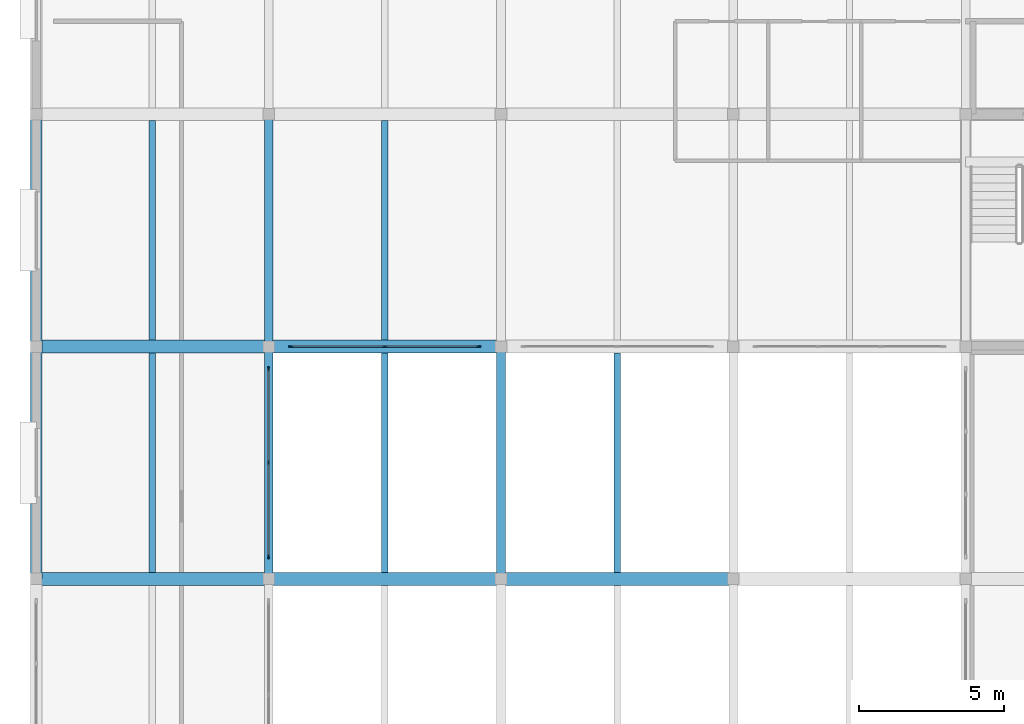
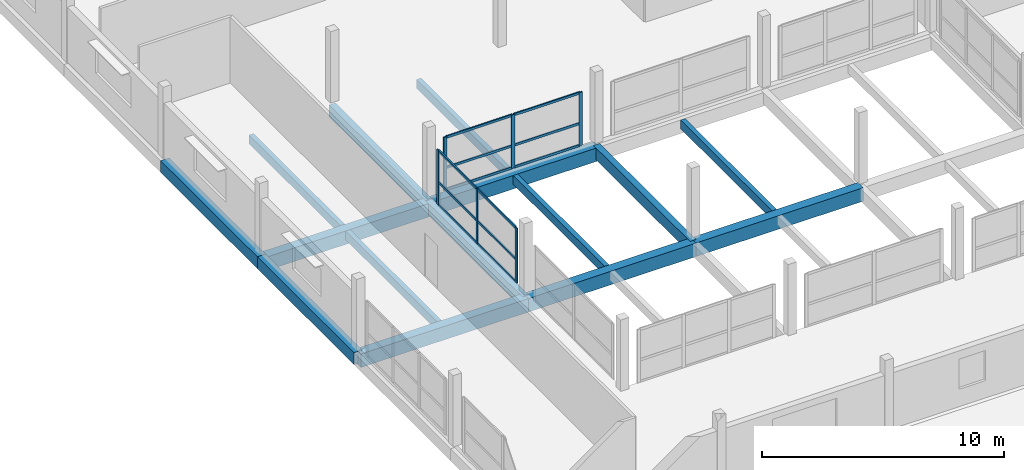
# One storey, part 12 of 51: 18 members, 15 beams, 2 elements without a shape of their own.
"""IFC4 building model written with IfcOpenShell, lengths in metres."""

from ifc_helpers import new_model, si_unit, direction, frame, origin, origin_2d, place, context, subcontext, project, spatial, rectangle, extrude, material, material_profile, profile_set, type_object, element, aggregate, save


model = new_model("IFC4")

# Units and contexts
model_context = context("Model", 3, precision=1e-05, world=origin(), true_north=direction((0.0, 1.0)))
body_context = subcontext(model_context, "Body", "Model", "MODEL_VIEW")
ifc_project = project(units=[si_unit("LENGTHUNIT", "METRE"), si_unit("AREAUNIT", "SQUARE_METRE"), si_unit("VOLUMEUNIT", "CUBIC_METRE"), si_unit("PLANEANGLEUNIT", "RADIAN"), si_unit("MASSUNIT", "GRAM", prefix="KILO")], contexts=[model_context])

# Site, building, storey
site_placement = place(None, origin())
site = spatial("IfcSite", under=ifc_project, at=site_placement, CompositionType="ELEMENT")
building_placement = place(site_placement, origin())
building = spatial("IfcBuilding", under=site, at=building_placement, Name="Vharandega Faculty of Natural Sciences", CompositionType="ELEMENT")
storey_placement = place(building_placement, frame((0.0, 0.0, 18.0)))
storey = spatial("IfcBuildingStorey", under=building, at=storey_placement, Name="L04", CompositionType="ELEMENT", Elevation=18.0)

# Curtain wall, members
ifc_material_1 = material(Name="Aluminium and solar-control glass curtain wall", Category="aluminium")
curtain_wall_type_1 = type_object("IfcCurtainWallType", Name="Unitised Curtain Wall System CW-17", PredefinedType="NOTDEFINED", material=ifc_material_1)
curtain_wall_1_placement = place(storey_placement, origin())
curtain_wall_1 = element("IfcCurtainWall", 1, at=curtain_wall_1_placement, inside=storey, type_object=curtain_wall_type_1, Name="Curtain Wall CW-L04-184", PredefinedType="NOTDEFINED")
ifc_material_2 = material(Name="Thermally broken aluminium 6063-T6", Category="aluminium")
ifc_material_profile_1 = material_profile(ifc_material_2, rectangle(XDim=0.06005859375, YDim=0.159912109375, at=origin_2d()), Name="ALU 60x160")
ifc_profile_set_1 = profile_set([ifc_material_profile_1], Name="Thermally broken aluminium 6063-T6")
member_type_1 = type_object("IfcMemberType", Name="CW Mullion 60x160", PredefinedType="MULLION", material=ifc_profile_set_1)
member_1_placement = place(storey_placement, frame((8.77001953125, 40.0, 0.0), z_axis=(0.0, 0.0, 1.0), x_axis=(0.0, 1.0, 0.0)))
member_1 = element("IfcMember", 2, at=member_1_placement, type_object=member_type_1, Name="CW-17 mullion 1", PredefinedType="MULLION", context=body_context, shape_type="SweptSolid", body=[
    extrude(rectangle(XDim=0.06005859375, YDim=0.159912109375, at=origin_2d()), origin(), (0.0, 0.0, 1.0), 2.699951171875),
])
member_2_placement = place(storey_placement, frame((12.0, 40.0, 0.0), z_axis=(0.0, 0.0, 1.0), x_axis=(0.0, 1.0, 0.0)))
member_2 = element("IfcMember", 3, at=member_2_placement, type_object=member_type_1, Name="CW-17 mullion 2", PredefinedType="MULLION", context=body_context, shape_type="SweptSolid", body=[
    extrude(rectangle(XDim=0.06005859375, YDim=0.159912109375, at=origin_2d()), origin(), (0.0, 0.0, 1.0), 2.699951171875),
])
member_3_placement = place(storey_placement, frame((15.22998046875, 40.0, 0.0), z_axis=(0.0, 0.0, 1.0), x_axis=(0.0, 1.0, 0.0)))
member_3 = element("IfcMember", 4, at=member_3_placement, type_object=member_type_1, Name="CW-17 mullion 3", PredefinedType="MULLION", context=body_context, shape_type="SweptSolid", body=[
    extrude(rectangle(XDim=0.06005859375, YDim=0.159912109375, at=origin_2d()), origin(), (0.0, 0.0, 1.0), 2.699951171875),
])

ifc_material_3 = material(Name="Aluminium and solar-control glass curtain wall", Category="aluminium")
curtain_wall_type_2 = type_object("IfcCurtainWallType", Name="Unitised Curtain Wall System CW-24", PredefinedType="NOTDEFINED", material=ifc_material_3)
curtain_wall_2_placement = place(storey_placement, origin())
curtain_wall_2 = element("IfcCurtainWall", 5, at=curtain_wall_2_placement, inside=storey, type_object=curtain_wall_type_2, Name="Curtain Wall CW-L04-191", PredefinedType="NOTDEFINED")
member_4_placement = place(storey_placement, frame((8.0, 32.77001953125, 0.0), z_axis=(0.0, 0.0, 1.0), x_axis=(-1.0, 0.0, 0.0)))
member_4 = element("IfcMember", 6, at=member_4_placement, type_object=member_type_1, Name="CW-24 mullion 1", PredefinedType="MULLION", context=body_context, shape_type="SweptSolid", body=[
    extrude(rectangle(XDim=0.06005859375, YDim=0.159912109375, at=origin_2d()), origin(), (0.0, 0.0, 1.0), 2.780029296875),
])
member_5_placement = place(storey_placement, frame((8.0, 36.0, 0.0), z_axis=(0.0, 0.0, 1.0), x_axis=(-1.0, 0.0, 0.0)))
member_5 = element("IfcMember", 7, at=member_5_placement, type_object=member_type_1, Name="CW-24 mullion 2", PredefinedType="MULLION", context=body_context, shape_type="SweptSolid", body=[
    extrude(rectangle(XDim=0.06005859375, YDim=0.159912109375, at=origin_2d()), origin(), (0.0, 0.0, 1.0), 2.780029296875),
])
member_6_placement = place(storey_placement, frame((8.0, 39.22998046875, 0.0), z_axis=(0.0, 0.0, 1.0), x_axis=(-1.0, 0.0, 0.0)))
member_6 = element("IfcMember", 8, at=member_6_placement, type_object=member_type_1, Name="CW-24 mullion 3", PredefinedType="MULLION", context=body_context, shape_type="SweptSolid", body=[
    extrude(rectangle(XDim=0.06005859375, YDim=0.159912109375, at=origin_2d()), origin(), (0.0, 0.0, 1.0), 2.780029296875),
])

# Member
ifc_material_4 = material(Name="Thermally broken aluminium 6063-T6", Category="aluminium")
ifc_material_profile_2 = material_profile(ifc_material_4, rectangle(XDim=0.06005859375, YDim=0.1201171875, at=origin_2d()), Name="ALU 60x120")
ifc_profile_set_2 = profile_set([ifc_material_profile_2], Name="Thermally broken aluminium 6063-T6")
member_type_2 = type_object("IfcMemberType", Name="CW Transom 60x120", PredefinedType="USERDEFINED", material=ifc_profile_set_2)
member_7_placement = place(storey_placement, frame((8.800048828125, 40.0, 0.030029296875), z_axis=(1.0, 0.0, 0.0), x_axis=(0.0, 1.0, 0.0)))
member_7 = element("IfcMember", 9, at=member_7_placement, type_object=member_type_2, Name="CW-17 transom 1.1", ObjectType="TRANSOM", PredefinedType="USERDEFINED", context=body_context, shape_type="SweptSolid", body=[
    extrude(rectangle(XDim=0.06005859375, YDim=0.1201171875, at=origin_2d()), origin(), (0.0, 0.0, 1.0), 3.169921875),
])

member_8_placement = place(storey_placement, frame((8.800048828125, 40.0, 1.134033203125), z_axis=(1.0, 0.0, 0.0), x_axis=(0.0, 1.0, 0.0)))
member_8 = element("IfcMember", 10, at=member_8_placement, type_object=member_type_2, Name="CW-17 transom 1.2", ObjectType="TRANSOM", PredefinedType="USERDEFINED", context=body_context, shape_type="SweptSolid", body=[
    extrude(rectangle(XDim=0.06005859375, YDim=0.1201171875, at=origin_2d()), origin(), (0.0, 0.0, 1.0), 3.169921875),
])

member_9_placement = place(storey_placement, frame((8.800048828125, 40.0, 2.669921875), z_axis=(1.0, 0.0, 0.0), x_axis=(0.0, 1.0, 0.0)))
member_9 = element("IfcMember", 11, at=member_9_placement, type_object=member_type_2, Name="CW-17 transom 1.3", ObjectType="TRANSOM", PredefinedType="USERDEFINED", context=body_context, shape_type="SweptSolid", body=[
    extrude(rectangle(XDim=0.06005859375, YDim=0.1201171875, at=origin_2d()), origin(), (0.0, 0.0, 1.0), 3.169921875),
])

member_10_placement = place(storey_placement, frame((12.030029296875, 40.0, 0.030029296875), z_axis=(1.0, 0.0, 0.0), x_axis=(0.0, 1.0, 0.0)))
member_10 = element("IfcMember", 12, at=member_10_placement, type_object=member_type_2, Name="CW-17 transom 2.1", ObjectType="TRANSOM", PredefinedType="USERDEFINED", context=body_context, shape_type="SweptSolid", body=[
    extrude(rectangle(XDim=0.06005859375, YDim=0.1201171875, at=origin_2d()), origin(), (0.0, 0.0, 1.0), 3.169921875),
])

member_11_placement = place(storey_placement, frame((12.030029296875, 40.0, 1.134033203125), z_axis=(1.0, 0.0, 0.0), x_axis=(0.0, 1.0, 0.0)))
member_11 = element("IfcMember", 13, at=member_11_placement, type_object=member_type_2, Name="CW-17 transom 2.2", ObjectType="TRANSOM", PredefinedType="USERDEFINED", context=body_context, shape_type="SweptSolid", body=[
    extrude(rectangle(XDim=0.06005859375, YDim=0.1201171875, at=origin_2d()), origin(), (0.0, 0.0, 1.0), 3.169921875),
])

member_12_placement = place(storey_placement, frame((12.030029296875, 40.0, 2.669921875), z_axis=(1.0, 0.0, 0.0), x_axis=(0.0, 1.0, 0.0)))
member_12 = element("IfcMember", 14, at=member_12_placement, type_object=member_type_2, Name="CW-17 transom 2.3", ObjectType="TRANSOM", PredefinedType="USERDEFINED", context=body_context, shape_type="SweptSolid", body=[
    extrude(rectangle(XDim=0.06005859375, YDim=0.1201171875, at=origin_2d()), origin(), (0.0, 0.0, 1.0), 3.169921875),
])

aggregate(curtain_wall_1, [member_1, member_2, member_3, member_7, member_8, member_9, member_10, member_11, member_12])

member_13_placement = place(storey_placement, frame((8.0, 32.800048828125, 0.030029296875), z_axis=(0.0, 1.0, 0.0), x_axis=(-1.0, 0.0, 0.0)))
member_13 = element("IfcMember", 15, at=member_13_placement, type_object=member_type_2, Name="CW-24 transom 1.1", ObjectType="TRANSOM", PredefinedType="USERDEFINED", context=body_context, shape_type="SweptSolid", body=[
    extrude(rectangle(XDim=0.06005859375, YDim=0.1201171875, at=origin_2d()), origin(), (0.0, 0.0, 1.0), 3.169921875),
])

member_14_placement = place(storey_placement, frame((8.0, 32.800048828125, 1.16748046875), z_axis=(0.0, 1.0, 0.0), x_axis=(-1.0, 0.0, 0.0)))
member_14 = element("IfcMember", 16, at=member_14_placement, type_object=member_type_2, Name="CW-24 transom 1.2", ObjectType="TRANSOM", PredefinedType="USERDEFINED", context=body_context, shape_type="SweptSolid", body=[
    extrude(rectangle(XDim=0.06005859375, YDim=0.1201171875, at=origin_2d()), origin(), (0.0, 0.0, 1.0), 3.169921875),
])

member_15_placement = place(storey_placement, frame((8.0, 32.800048828125, 2.75), z_axis=(0.0, 1.0, 0.0), x_axis=(-1.0, 0.0, 0.0)))
member_15 = element("IfcMember", 17, at=member_15_placement, type_object=member_type_2, Name="CW-24 transom 1.3", ObjectType="TRANSOM", PredefinedType="USERDEFINED", context=body_context, shape_type="SweptSolid", body=[
    extrude(rectangle(XDim=0.06005859375, YDim=0.1201171875, at=origin_2d()), origin(), (0.0, 0.0, 1.0), 3.169921875),
])

member_16_placement = place(storey_placement, frame((8.0, 36.030029296875, 0.030029296875), z_axis=(0.0, 1.0, 0.0), x_axis=(-1.0, 0.0, 0.0)))
member_16 = element("IfcMember", 18, at=member_16_placement, type_object=member_type_2, Name="CW-24 transom 2.1", ObjectType="TRANSOM", PredefinedType="USERDEFINED", context=body_context, shape_type="SweptSolid", body=[
    extrude(rectangle(XDim=0.06005859375, YDim=0.1201171875, at=origin_2d()), origin(), (0.0, 0.0, 1.0), 3.169921875),
])

member_17_placement = place(storey_placement, frame((8.0, 36.030029296875, 1.16748046875), z_axis=(0.0, 1.0, 0.0), x_axis=(-1.0, 0.0, 0.0)))
member_17 = element("IfcMember", 19, at=member_17_placement, type_object=member_type_2, Name="CW-24 transom 2.2", ObjectType="TRANSOM", PredefinedType="USERDEFINED", context=body_context, shape_type="SweptSolid", body=[
    extrude(rectangle(XDim=0.06005859375, YDim=0.1201171875, at=origin_2d()), origin(), (0.0, 0.0, 1.0), 3.169921875),
])

member_18_placement = place(storey_placement, frame((8.0, 36.030029296875, 2.75), z_axis=(0.0, 1.0, 0.0), x_axis=(-1.0, 0.0, 0.0)))
member_18 = element("IfcMember", 20, at=member_18_placement, type_object=member_type_2, Name="CW-24 transom 2.3", ObjectType="TRANSOM", PredefinedType="USERDEFINED", context=body_context, shape_type="SweptSolid", body=[
    extrude(rectangle(XDim=0.06005859375, YDim=0.1201171875, at=origin_2d()), origin(), (0.0, 0.0, 1.0), 3.169921875),
])

aggregate(curtain_wall_2, [member_4, member_5, member_6, member_13, member_14, member_15, member_16, member_17, member_18])

# Beams
ifc_material_5 = material(Name="Glulam GL28h", Category="wood")
ifc_material_profile_3 = material_profile(ifc_material_5, rectangle(XDim=0.300048828125, YDim=0.60009765625, at=origin_2d()), Name="GL28h 300x600")
ifc_profile_set_3 = profile_set([ifc_material_profile_3], Name="Glulam GL28h")
beam_type_1 = type_object("IfcBeamType", Name="Glulam Floor Beam 300x600", PredefinedType="BEAM", material=ifc_profile_set_3)
for number, where, z_axis, x_axis, name in (
    (21, (8.0, 32.0, -0.52001953125), (0.0, 1.0, 0.0), (-1.0, 0.0, 0.0), "Beam L04 2/E-F"),
    (22, (8.0, 40.0, -0.52001953125), (0.0, 1.0, 0.0), (-1.0, 0.0, 0.0), "Beam L04 2/F-G"),
    (23, (16.0, 32.0, -0.52001953125), (0.0, 1.0, 0.0), (-1.0, 0.0, 0.0), "Beam L04 3/E-F"),
):
    element("IfcBeam", number, at=place(storey_placement, frame(where, z_axis=z_axis, x_axis=x_axis)), inside=storey, type_object=beam_type_1, Name=name, PredefinedType="BEAM", context=body_context, shape_type="SweptSolid", body=[
        extrude(rectangle(XDim=0.300048828125, YDim=0.60009765625, at=origin_2d()), origin(), (0.0, 0.0, 1.0), 8.0),
    ])
ifc_material_6 = material(Name="Glulam GL32h", Category="wood")
ifc_material_profile_4 = material_profile(ifc_material_6, rectangle(XDim=0.43994140625, YDim=0.679931640625, at=origin_2d()), Name="GL32h 440x680")
ifc_profile_set_4 = profile_set([ifc_material_profile_4], Name="Glulam GL32h")
beam_type_2 = type_object("IfcBeamType", Name="Glulam Girder 440x680", PredefinedType="BEAM", material=ifc_profile_set_4)
for number, where, z_axis, x_axis, name in (
    (24, (0.0, 32.0, -0.56005859375), (1.0, 0.0, 0.0), (0.0, 1.0, 0.0), "Beam L04 E/1-2"),
    (25, (8.0, 32.0, -0.56005859375), (1.0, 0.0, 0.0), (0.0, 1.0, 0.0), "Beam L04 E/2-3"),
    (26, (16.0, 32.0, -0.56005859375), (1.0, 0.0, 0.0), (0.0, 1.0, 0.0), "Beam L04 E/3-4"),
    (27, (0.0, 40.0, -0.56005859375), (1.0, 0.0, 0.0), (0.0, 1.0, 0.0), "Beam L04 F/1-2"),
    (28, (8.0, 40.0, -0.56005859375), (1.0, 0.0, 0.0), (0.0, 1.0, 0.0), "Beam L04 F/2-3"),
):
    element("IfcBeam", number, at=place(storey_placement, frame(where, z_axis=z_axis, x_axis=x_axis)), inside=storey, type_object=beam_type_2, Name=name, PredefinedType="BEAM", context=body_context, shape_type="SweptSolid", body=[
        extrude(rectangle(XDim=0.43994140625, YDim=0.679931640625, at=origin_2d()), origin(), (0.0, 0.0, 1.0), 8.0),
    ])
ifc_material_7 = material(Name="Glulam GL28h", Category="wood")
ifc_material_profile_5 = material_profile(ifc_material_7, rectangle(XDim=0.219970703125, YDim=0.43994140625, at=origin_2d()), Name="GL28h 220x440")
ifc_profile_set_5 = profile_set([ifc_material_profile_5], Name="Glulam GL28h")
beam_type_3 = type_object("IfcBeamType", Name="Glulam Secondary Joist 220x440", PredefinedType="JOIST", material=ifc_profile_set_5)
for number, where, z_axis, x_axis, name in (
    (29, (4.0, 32.219970703125, -0.43994140625), (0.0, 1.0, 0.0), (-1.0, 0.0, 0.0), "Secondary Joist L04 1-2/E-F"),
    (30, (4.0, 40.219970703125, -0.43994140625), (0.0, 1.0, 0.0), (-1.0, 0.0, 0.0), "Secondary Joist L04 1-2/F-G"),
    (31, (12.0, 32.219970703125, -0.43994140625), (0.0, 1.0, 0.0), (-1.0, 0.0, 0.0), "Secondary Joist L04 2-3/E-F"),
    (32, (12.0, 40.219970703125, -0.43994140625), (0.0, 1.0, 0.0), (-1.0, 0.0, 0.0), "Secondary Joist L04 2-3/F-G"),
    (33, (20.0, 32.219970703125, -0.43994140625), (0.0, 1.0, 0.0), (-1.0, 0.0, 0.0), "Secondary Joist L04 3-4/E-F"),
):
    element("IfcBeam", number, at=place(storey_placement, frame(where, z_axis=z_axis, x_axis=x_axis)), inside=storey, type_object=beam_type_3, Name=name, PredefinedType="JOIST", context=body_context, shape_type="SweptSolid", body=[
        extrude(rectangle(XDim=0.219970703125, YDim=0.43994140625, at=origin_2d()), origin(), (0.0, 0.0, 1.0), 7.56005859375),
    ])
ifc_material_8 = material(Name="Glulam GL32h", Category="wood")
ifc_material_profile_6 = material_profile(ifc_material_8, rectangle(XDim=0.39990234375, YDim=0.60009765625, at=origin_2d()), Name="GL32h 400x600")
ifc_profile_set_6 = profile_set([ifc_material_profile_6], Name="Glulam GL32h")
beam_type_4 = type_object("IfcBeamType", Name="Glulam Spine Girder 400x600", PredefinedType="BEAM", material=ifc_profile_set_6)
for number, where, z_axis, x_axis, name in (
    (34, (0.0, 32.0, -0.52001953125), (0.0, 1.0, 0.0), (-1.0, 0.0, 0.0), "Beam L04 1/E-F"),
    (35, (0.0, 40.0, -0.52001953125), (0.0, 1.0, 0.0), (-1.0, 0.0, 0.0), "Beam L04 1/F-G"),
):
    element("IfcBeam", number, at=place(storey_placement, frame(where, z_axis=z_axis, x_axis=x_axis)), inside=storey, type_object=beam_type_4, Name=name, PredefinedType="BEAM", context=body_context, shape_type="SweptSolid", body=[
        extrude(rectangle(XDim=0.39990234375, YDim=0.60009765625, at=origin_2d()), origin(), (0.0, 0.0, 1.0), 8.0),
    ])

save(model, "model.ifc")
